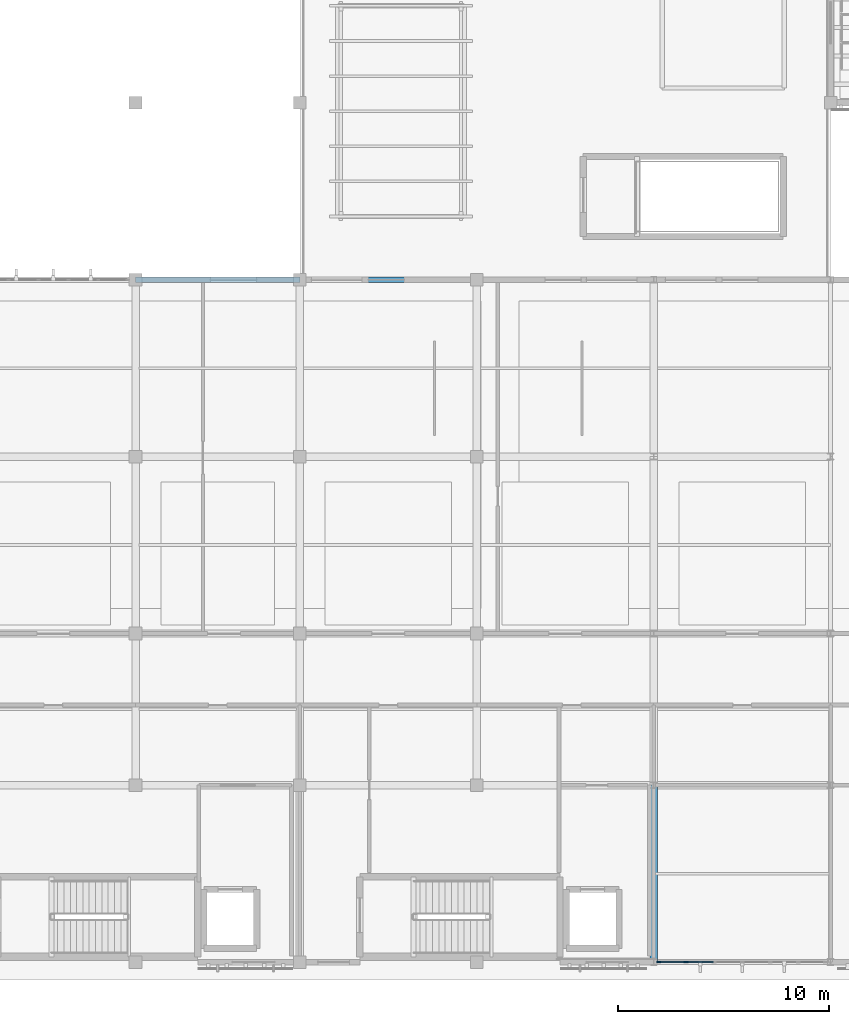
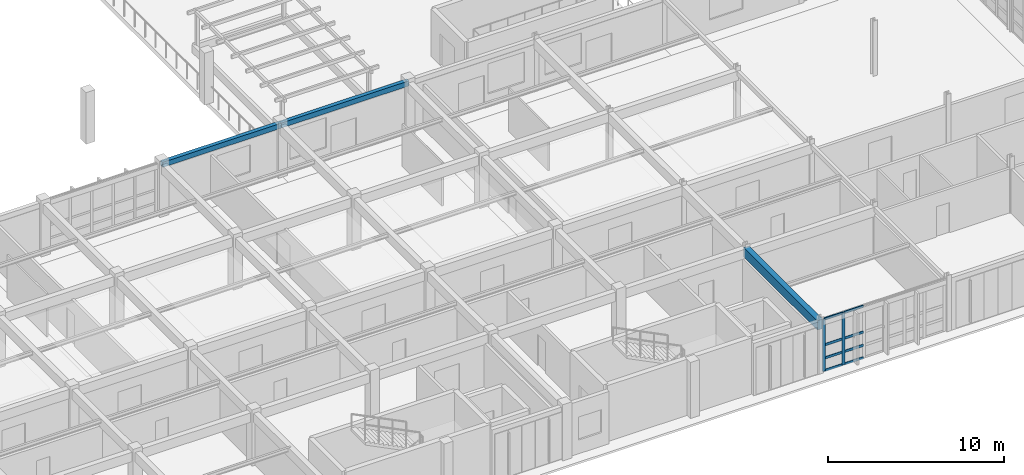
# One storey, part 12 of 67: 10 members, 3 beams, 1 element without a shape of its own.
"""IFC4 building model written with IfcOpenShell, lengths in metres."""

from ifc_helpers import new_model, si_unit, direction, frame, origin, origin_2d, place, context, subcontext, project, spatial, rectangle, hollow_rectangle, extrude, material, material_profile, profile_set, type_object, element, aggregate, save


model = new_model("IFC4")

# Units and contexts
model_context = context("Model", 3, precision=1e-05, world=origin(), true_north=direction((0.0, 1.0)))
body_context = subcontext(model_context, "Body", "Model", "MODEL_VIEW")
ifc_project = project(units=[si_unit("LENGTHUNIT", "METRE"), si_unit("AREAUNIT", "SQUARE_METRE"), si_unit("VOLUMEUNIT", "CUBIC_METRE"), si_unit("PLANEANGLEUNIT", "RADIAN"), si_unit("MASSUNIT", "GRAM", prefix="KILO")], contexts=[model_context])

# Site, building, storey
site_placement = place(None, origin())
site = spatial("IfcSite", under=ifc_project, at=site_placement, CompositionType="ELEMENT")
building_placement = place(site_placement, origin())
building = spatial("IfcBuilding", under=site, at=building_placement, Name="Tizgana Railside Sports Hall", CompositionType="ELEMENT")
storey_placement = place(building_placement, frame((0.0, 0.0, 12.0)))
storey = spatial("IfcBuildingStorey", under=building, at=storey_placement, Name="L02", CompositionType="ELEMENT", Elevation=12.0)

# Beam
ifc_material_1 = material(Name="Concrete C35/45", Category="concrete")
ifc_material_profile_1 = material_profile(ifc_material_1, rectangle(XDim=0.35009765625, YDim=0.64990234375, at=origin_2d()), Name="RCB 350x650")
ifc_profile_set_1 = profile_set([ifc_material_profile_1], Name="Concrete C35/45")
beam_type_1 = type_object("IfcBeamType", Name="Concrete Beam RCB 350x650", PredefinedType="BEAM", material=ifc_profile_set_1)
beam_1_placement = place(storey_placement, frame((71.39990234375, 0.0, 3.31103515625), z_axis=(0.0, 1.0, 0.0), x_axis=(-1.0, 0.0, 0.0)))
element("IfcBeam", 1, at=beam_1_placement, inside=storey, type_object=beam_type_1, Name="L02 BEM-0626", PredefinedType="BEAM", context=body_context, shape_type="SweptSolid", body=[
    extrude(rectangle(XDim=0.35009765625, YDim=0.64990234375, at=origin_2d()), origin(), (0.0, 0.0, 1.0), 8.39990234375),
])

# Curtain wall, members
ifc_material_2 = material(Name="Anodised aluminium and glass", Category="aluminium")
curtain_wall_type = type_object("IfcCurtainWallType", Name="Unitised Curtain Wall Foyer 1300", PredefinedType="NOTDEFINED", material=ifc_material_2)
curtain_wall_placement = place(storey_placement, origin())
curtain_wall = element("IfcCurtainWall", 2, at=curtain_wall_placement, inside=storey, type_object=curtain_wall_type, Name="L02 Curtain Wall CW-0105", PredefinedType="NOTDEFINED")
ifc_material_3 = material(Name="Anodised aluminium", Category="aluminium")
ifc_material_profile_2 = material_profile(ifc_material_3, rectangle(XDim=0.06494140625, YDim=0.199951171875, at=origin_2d()), Name="Mullion 65x200")
ifc_profile_set_2 = profile_set([ifc_material_profile_2], Name="Anodised aluminium")
member_type_1 = type_object("IfcMemberType", Name="Mullion 65x200", PredefinedType="MULLION", material=ifc_profile_set_2)
member_1_placement = place(storey_placement, frame((72.936767578125, 0.0, 0.0), z_axis=(0.0, 0.0, 1.0), x_axis=(0.0, -1.0, 0.0)))
member_1 = element("IfcMember", 3, at=member_1_placement, type_object=member_type_1, Name="CW-02 mullion 6", PredefinedType="MULLION", context=body_context, shape_type="SweptSolid", body=[
    extrude(rectangle(XDim=0.06494140625, YDim=0.199951171875, at=origin_2d()), origin(), (0.0, 0.0, 1.0), 3.639892578125),
])
member_2_placement = place(storey_placement, frame((71.637451171875, 0.0, 0.0), z_axis=(0.0, 0.0, 1.0), x_axis=(0.0, -1.0, 0.0)))
member_2 = element("IfcMember", 4, at=member_2_placement, type_object=member_type_1, Name="CW-02 mullion 7", PredefinedType="MULLION", context=body_context, shape_type="SweptSolid", body=[
    extrude(rectangle(XDim=0.06494140625, YDim=0.199951171875, at=origin_2d()), origin(), (0.0, 0.0, 1.0), 3.639892578125),
])

# Beams
ifc_material_4 = material(Name="Steel S355J2", Category="steel")
ifc_material_profile_3 = material_profile(ifc_material_4, hollow_rectangle(XDim=0.25, YDim=0.35009765625, WallThickness=0.011962890625, at=origin_2d()), Name="RHS 350x250x12")
ifc_profile_set_3 = profile_set([ifc_material_profile_3], Name="Steel S355J2")
beam_type_2 = type_object("IfcBeamType", Name="Steel Spandrel RHS 350x250x12", PredefinedType="SPANDREL", material=ifc_profile_set_3)
beam_2_placement = place(storey_placement, frame((46.800048828125, 32.39990234375, 3.4609375), z_axis=(1.0, 0.0, 0.0), x_axis=(0.0, 1.0, 0.0)))
element("IfcBeam", 5, at=beam_2_placement, inside=storey, type_object=beam_type_2, Name="L02 BEM-0676", PredefinedType="SPANDREL", context=body_context, shape_type="SweptSolid", body=[
    extrude(hollow_rectangle(XDim=0.25, YDim=0.35009765625, WallThickness=0.011962890625, at=origin_2d()), origin(), (0.0, 0.0, 1.0), 7.800048828125),
])
beam_3_placement = place(storey_placement, frame((54.60009765625, 32.39990234375, 3.4609375), z_axis=(1.0, 0.0, 0.0), x_axis=(0.0, 1.0, 0.0)))
element("IfcBeam", 6, at=beam_3_placement, inside=storey, type_object=beam_type_2, Name="L02 BEM-0683", PredefinedType="SPANDREL", context=body_context, shape_type="SweptSolid", body=[
    extrude(hollow_rectangle(XDim=0.25, YDim=0.35009765625, WallThickness=0.011962890625, at=origin_2d()), origin(), (0.0, 0.0, 1.0), 8.39990234375),
])

# Member
ifc_material_profile_4 = material_profile(ifc_material_3, rectangle(XDim=0.06494140625, YDim=0.169921875, at=origin_2d()), Name="Transom 65x170")
ifc_profile_set_4 = profile_set([ifc_material_profile_4], Name="Anodised aluminium")
member_type_2 = type_object("IfcMemberType", Name="Transom 65x170", PredefinedType="USERDEFINED", material=ifc_profile_set_4)
member_3_placement = place(storey_placement, frame((74.23583984375, 0.0, 0.032470703125), z_axis=(-1.0, 0.0, 0.0), x_axis=(0.0, -1.0, 0.0)))
member_3 = element("IfcMember", 7, at=member_3_placement, type_object=member_type_2, Name="CW-02 transom 5.1", ObjectType="TRANSOM", PredefinedType="USERDEFINED", context=body_context, shape_type="SweptSolid", body=[
    extrude(rectangle(XDim=0.06494140625, YDim=0.169921875, at=origin_2d()), origin(), (0.0, 0.0, 1.0), 1.2666015625),
])

member_4_placement = place(storey_placement, frame((74.23583984375, 0.0, 0.89990234375), z_axis=(-1.0, 0.0, 0.0), x_axis=(0.0, -1.0, 0.0)))
member_4 = element("IfcMember", 8, at=member_4_placement, type_object=member_type_2, Name="CW-02 transom 5.2", ObjectType="TRANSOM", PredefinedType="USERDEFINED", context=body_context, shape_type="SweptSolid", body=[
    extrude(rectangle(XDim=0.06494140625, YDim=0.169921875, at=origin_2d()), origin(), (0.0, 0.0, 1.0), 1.2666015625),
])

member_5_placement = place(storey_placement, frame((74.23583984375, 0.0, 1.820068359375), z_axis=(-1.0, 0.0, 0.0), x_axis=(0.0, -1.0, 0.0)))
member_5 = element("IfcMember", 9, at=member_5_placement, type_object=member_type_2, Name="CW-02 transom 5.3", ObjectType="TRANSOM", PredefinedType="USERDEFINED", context=body_context, shape_type="SweptSolid", body=[
    extrude(rectangle(XDim=0.06494140625, YDim=0.169921875, at=origin_2d()), origin(), (0.0, 0.0, 1.0), 1.2666015625),
])

member_6_placement = place(storey_placement, frame((74.23583984375, 0.0, 3.607421875), z_axis=(-1.0, 0.0, 0.0), x_axis=(0.0, -1.0, 0.0)))
member_6 = element("IfcMember", 10, at=member_6_placement, type_object=member_type_2, Name="CW-02 transom 5.4", ObjectType="TRANSOM", PredefinedType="USERDEFINED", context=body_context, shape_type="SweptSolid", body=[
    extrude(rectangle(XDim=0.06494140625, YDim=0.169921875, at=origin_2d()), origin(), (0.0, 0.0, 1.0), 1.2666015625),
])

member_7_placement = place(storey_placement, frame((72.904052734375, 0.0, 0.032470703125), z_axis=(-1.0, 0.0, 0.0), x_axis=(0.0, -1.0, 0.0)))
member_7 = element("IfcMember", 11, at=member_7_placement, type_object=member_type_2, Name="CW-02 transom 6.1", ObjectType="TRANSOM", PredefinedType="USERDEFINED", context=body_context, shape_type="SweptSolid", body=[
    extrude(rectangle(XDim=0.06494140625, YDim=0.169921875, at=origin_2d()), origin(), (0.0, 0.0, 1.0), 1.234130859375),
])

member_8_placement = place(storey_placement, frame((72.904052734375, 0.0, 0.89990234375), z_axis=(-1.0, 0.0, 0.0), x_axis=(0.0, -1.0, 0.0)))
member_8 = element("IfcMember", 12, at=member_8_placement, type_object=member_type_2, Name="CW-02 transom 6.2", ObjectType="TRANSOM", PredefinedType="USERDEFINED", context=body_context, shape_type="SweptSolid", body=[
    extrude(rectangle(XDim=0.06494140625, YDim=0.169921875, at=origin_2d()), origin(), (0.0, 0.0, 1.0), 1.234130859375),
])

member_9_placement = place(storey_placement, frame((72.904052734375, 0.0, 1.820068359375), z_axis=(-1.0, 0.0, 0.0), x_axis=(0.0, -1.0, 0.0)))
member_9 = element("IfcMember", 13, at=member_9_placement, type_object=member_type_2, Name="CW-02 transom 6.3", ObjectType="TRANSOM", PredefinedType="USERDEFINED", context=body_context, shape_type="SweptSolid", body=[
    extrude(rectangle(XDim=0.06494140625, YDim=0.169921875, at=origin_2d()), origin(), (0.0, 0.0, 1.0), 1.234130859375),
])

member_10_placement = place(storey_placement, frame((72.904052734375, 0.0, 3.607421875), z_axis=(-1.0, 0.0, 0.0), x_axis=(0.0, -1.0, 0.0)))
member_10 = element("IfcMember", 14, at=member_10_placement, type_object=member_type_2, Name="CW-02 transom 6.4", ObjectType="TRANSOM", PredefinedType="USERDEFINED", context=body_context, shape_type="SweptSolid", body=[
    extrude(rectangle(XDim=0.06494140625, YDim=0.169921875, at=origin_2d()), origin(), (0.0, 0.0, 1.0), 1.234130859375),
])

aggregate(curtain_wall, [member_1, member_2, member_3, member_4, member_5, member_6, member_7, member_8, member_9, member_10])

save(model, "model.ifc")
